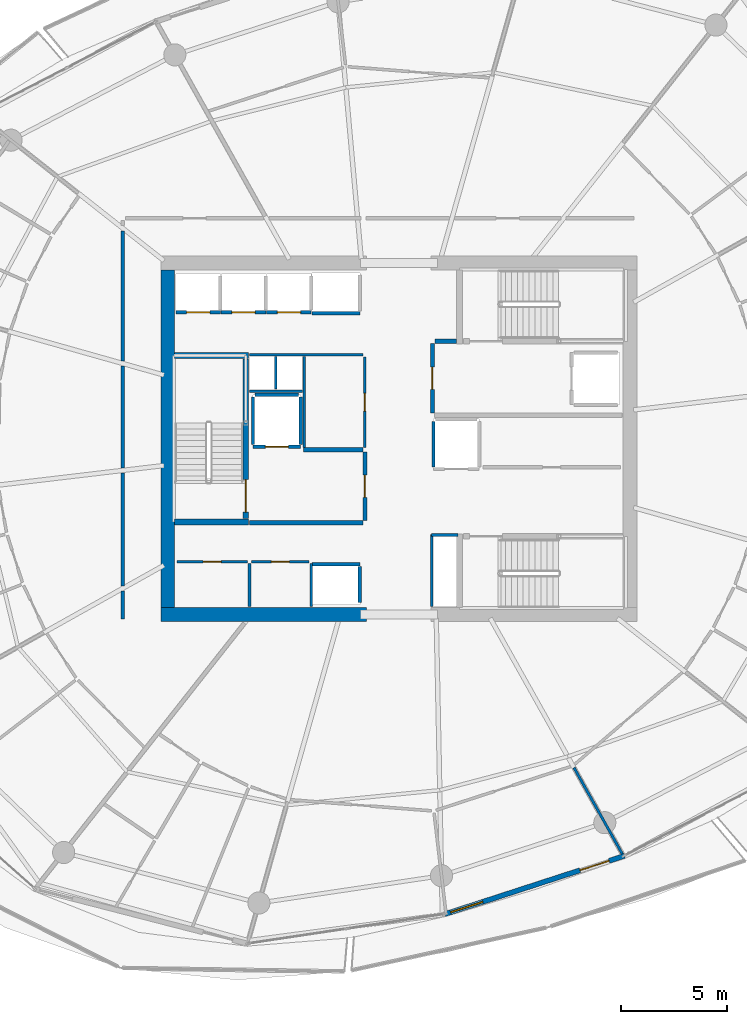
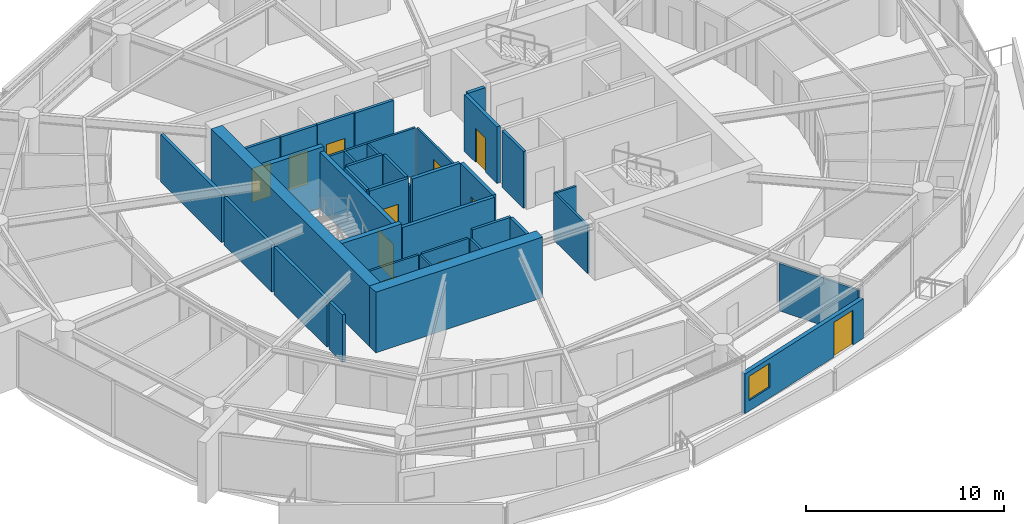
# One storey, part 12 of 20: 38 walls, 11 doors, 1 window, 12 openings.
"""IFC4 building model written with IfcOpenShell, lengths in metres."""

from ifc_helpers import new_model, si_unit, direction, frame, frame_2d, origin, place, context, subcontext, project, spatial, rectangle, extrude, material, layer, layer_set, type_object, element, fill, save


model = new_model("IFC4")

# Units and contexts
model_context = context("Model", 3, precision=1e-05, world=origin(), true_north=direction((0.0, 1.0)))
body_context = subcontext(model_context, "Body", "Model", "MODEL_VIEW")
ifc_project = project(units=[si_unit("LENGTHUNIT", "METRE"), si_unit("AREAUNIT", "SQUARE_METRE"), si_unit("VOLUMEUNIT", "CUBIC_METRE"), si_unit("PLANEANGLEUNIT", "RADIAN"), si_unit("MASSUNIT", "GRAM", prefix="KILO")], contexts=[model_context])

# Site, building, storey
site_placement = place(None, origin())
site = spatial("IfcSite", under=ifc_project, at=site_placement, CompositionType="ELEMENT")
building_placement = place(site_placement, origin())
building = spatial("IfcBuilding", under=site, at=building_placement, Name="Kazma Halo Residences", CompositionType="ELEMENT")
storey_placement = place(building_placement, frame((0.0, 0.0, 217.800048828125)))
storey = spatial("IfcBuildingStorey", under=building, at=storey_placement, Name="L55", CompositionType="ELEMENT", Elevation=217.800048828125)

# Walls
ifc_material_1 = material(Name="Concrete C60/75", Category="concrete")
ifc_layer_1 = layer(ifc_material_1, 0.64990234375)
ifc_layer_set_1 = layer_set([ifc_layer_1], Name="Concrete C60/75")
wall_type_1 = type_object("IfcWallType", Name="WL-CORE-650", PredefinedType="SHEAR", material=ifc_layer_set_1)
wall_1_placement = place(storey_placement, frame((37.14990234375, 33.675048828125, 0.0), z_axis=(0.0, 0.0, 1.0), x_axis=(1.0, 0.0, 0.0)))
element("IfcWall", 1, at=wall_1_placement, inside=storey, type_object=wall_type_1, Name="L55 central core shear wall SW", PredefinedType="SHEAR", context=body_context, shape_type="SweptSolid", body=[
    extrude(rectangle(XDim=9.75, YDim=0.64990234375, at=frame_2d((4.875, 0.0))), origin(), (0.0, 0.0, 1.0), 3.75),
])
wall_2_placement = place(storey_placement, frame((37.47509765625, 34.0, 0.0), z_axis=(0.0, 0.0, 1.0), x_axis=(0.0, 1.0, 0.0)))
element("IfcWall", 2, at=wall_2_placement, inside=storey, type_object=wall_type_1, Name="L55 central core shear wall W", PredefinedType="SHEAR", context=body_context, shape_type="SweptSolid", body=[
    extrude(rectangle(XDim=16.0, YDim=0.64990234375, at=frame_2d((8.0, 0.0))), origin(), (0.0, 0.0, 1.0), 3.75),
])
ifc_layer_2 = layer(ifc_material_1, 0.280029296875)
ifc_layer_set_2 = layer_set([ifc_layer_2], Name="Concrete C60/75")
wall_type_2 = type_object("IfcWallType", Name="WL-CORE-ST-280", PredefinedType="SHEAR", material=ifc_layer_set_2)
for number, where, z_axis, x_axis, name in (
    (3, (37.800048828125, 38.06005859375, 0.0), (0.0, 0.0, 1.0), (1.0, 0.0, 0.0), "L55 stairwell bearing wall ST01-S"),
    (4, (37.800048828125, 45.93994140625, 0.0), (0.0, 0.0, 1.0), (1.0, 0.0, 0.0), "L55 stairwell bearing wall ST01-N"),
):
    element("IfcWall", number, at=place(storey_placement, frame(where, z_axis=z_axis, x_axis=x_axis)), inside=storey, type_object=wall_type_2, Name=name, PredefinedType="SHEAR", context=body_context, shape_type="SweptSolid", body=[
        extrude(rectangle(XDim=3.5, YDim=0.280029296875, at=frame_2d((1.75, 0.0))), origin(), (0.0, 0.0, 1.0), 3.75),
    ])
ifc_material_2 = material(Name="Acoustic Twin-Stud Gypsum")
ifc_layer_3 = layer(ifc_material_2, 0.179931640625)
ifc_layer_set_3 = layer_set([ifc_layer_3], Name="Acoustic Twin-Stud Gypsum")
wall_type_3 = type_object("IfcWallType", Name="WL-DEM-180", PredefinedType="PARTITIONING", material=ifc_layer_set_3)
wall_3_placement = place(storey_placement, frame((35.35009765625, 51.8525390625, 0.0), z_axis=(0.0, 0.0, 1.0), x_axis=(0.0, -1.0, 0.0)))
element("IfcWall", 5, at=wall_3_placement, inside=storey, type_object=wall_type_3, Name="L55 Apartment 1 inner wall 5", PredefinedType="PARTITIONING", context=body_context, shape_type="SweptSolid", body=[
    extrude(rectangle(XDim=6.164794921875, YDim=0.179931640625, at=frame_2d((3.08251953125, 0.0))), origin(), (0.0, 0.0, 1.0), 2.93994140625),
])
wall_4_placement = place(storey_placement, frame((35.35009765625, 45.44775390625, 0.0), z_axis=(0.0, 0.0, 1.0), x_axis=(0.0, -1.0, 0.0)))
element("IfcWall", 6, at=wall_4_placement, inside=storey, type_object=wall_type_3, Name="L55 Apartment 1 inner wall 6", PredefinedType="PARTITIONING", context=body_context, shape_type="SweptSolid", body=[
    extrude(rectangle(XDim=4.824951171875, YDim=0.179931640625, at=frame_2d((2.41259765625, 0.0))), origin(), (0.0, 0.0, 1.0), 2.93994140625),
])
wall_5_placement = place(storey_placement, frame((35.35009765625, 40.3828125, 0.0), z_axis=(0.0, 0.0, 1.0), x_axis=(0.0, -1.0, 0.0)))
element("IfcWall", 7, at=wall_5_placement, inside=storey, type_object=wall_type_3, Name="L55 Apartment 1 inner wall 7", PredefinedType="PARTITIONING", context=body_context, shape_type="SweptSolid", body=[
    extrude(rectangle(XDim=5.34716796875, YDim=0.179931640625, at=frame_2d((2.673583984375, 0.0))), origin(), (0.0, 0.0, 1.0), 2.93994140625),
])
wall_6_placement = place(storey_placement, frame((35.35009765625, 34.795654296875, 0.0), z_axis=(0.0, 0.0, 1.0), x_axis=(0.0, -1.0, 0.0)))
element("IfcWall", 8, at=wall_6_placement, inside=storey, type_object=wall_type_3, Name="L55 Apartment 1 inner wall 8", PredefinedType="PARTITIONING", context=body_context, shape_type="SweptSolid", body=[
    extrude(rectangle(XDim=1.32568359375, YDim=0.179931640625, at=frame_2d((0.662841796875, 0.0))), origin(), (0.0, 0.0, 1.0), 2.93994140625),
])

# Wall, openings, door, window
ifc_material_3 = material(Name="Insulated Pale-Metal Composite Wall")
ifc_layer_4 = layer(ifc_material_3, 0.239990234375)
ifc_layer_set_4 = layer_set([ifc_layer_4], Name="Insulated Pale-Metal Composite Wall")
wall_type_4 = type_object("IfcWallType", Name="WL-EXT-HOST-240", PredefinedType="SOLIDWALL", material=ifc_layer_set_4)
wall_7_placement = place(storey_placement, frame((50.61572265625, 19.481201171875, 0.0), z_axis=(0.0, 0.0, 1.0), x_axis=(0.951058543936, 0.309010753869, 0.0)))
wall_7 = element("IfcWall", 9, at=wall_7_placement, inside=storey, type_object=wall_type_4, Name="L55 exterior terrace-access wall B12", PredefinedType="SOLIDWALL", context=body_context, shape_type="SweptSolid", body=[
    extrude(rectangle(XDim=8.942138671875, YDim=0.239990234375, at=frame_2d((4.47119140625, 0.0))), origin(), (0.0, 0.0, 1.0), 2.449951171875),
])
opening_1_placement = place(wall_7_placement, frame((6.721923828125, 0.0, 0.0)))
opening_1 = element("IfcOpeningElement", 10, at=opening_1_placement, cuts=wall_7, Name="Opening DTR-1600", PredefinedType="OPENING", context=body_context, shape_type="SweptSolid", body=[
    extrude(rectangle(XDim=1.449951171875, YDim=2.14990234375, at=frame_2d((0.72509765625, 1.074951171875))), frame((0.0, 0.1298828125, 0.0), z_axis=(0.0, -1.0, 0.0), x_axis=(1.0, 0.0, 0.0)), (0.0, 0.0, 1.0), 0.260009765625),
])
opening_2_placement = place(wall_7_placement, frame((0.280029296875, 0.0, 0.64990234375)))
opening_2 = element("IfcOpeningElement", 11, at=opening_2_placement, cuts=wall_7, Name="Opening W-1800", PredefinedType="OPENING", context=body_context, shape_type="SweptSolid", body=[
    extrude(rectangle(XDim=1.60009765625, YDim=1.5, at=frame_2d((0.800048828125, 0.75))), frame((0.0, 0.1298828125, 0.0), z_axis=(0.0, -1.0, 0.0), x_axis=(1.0, 0.0, 0.0)), (0.0, 0.0, 1.0), 0.260009765625),
])
ifc_material_4 = material(Name="Aluminium AW-6063 T6 Double-Glazed Terrace Door", Category="aluminium")
door_type_1 = type_object("IfcDoorType", Name="DR-EXT-TERR-1600", OperationType="NOTDEFINED", PredefinedType="DOOR", material=ifc_material_4)
door_1_placement = place(opening_1_placement, origin())
door_1 = element("IfcDoor", 12, at=door_1_placement, inside=storey, type_object=door_type_1, Name="L55 B12 balcony terrace door", OperationType="DOUBLE_DOOR_SLIDING", OverallHeight=2.14990234375, OverallWidth=1.449951171875, PredefinedType="DOOR", context=body_context, shape_type="SweptSolid", body=[
    extrude(rectangle(XDim=1.449951171875, YDim=2.14990234375, at=frame_2d((0.72509765625, 1.074951171875))), frame((0.0, 0.02490234375, 0.0), z_axis=(0.0, -1.0, 0.0), x_axis=(1.0, 0.0, 0.0)), (0.0, 0.0, 1.0), 0.050048828125),
])
fill(opening_1, door_1)
ifc_material_5 = material(Name="Clear Triple-Silver Low-E Glass in Aluminium AW-6063 T6 Frame", Category="aluminium")
window_type = type_object("IfcWindowType", Name="WIN-RES-1800", PartitioningType="DOUBLE_PANEL_VERTICAL", PredefinedType="WINDOW", material=ifc_material_5)
window_placement = place(opening_2_placement, origin())
window = element("IfcWindow", 13, at=window_placement, inside=storey, type_object=window_type, Name="L55 B12 apartment window", OverallHeight=1.5, OverallWidth=1.60009765625, PartitioningType="SINGLE_PANEL", PredefinedType="WINDOW", context=body_context, shape_type="SweptSolid", body=[
    extrude(rectangle(XDim=1.60009765625, YDim=1.5, at=frame_2d((0.800048828125, 0.75))), frame((0.0, 0.030029296875, 0.0), z_axis=(0.0, -1.0, 0.0), x_axis=(1.0, 0.0, 0.0)), (0.0, 0.0, 1.0), 0.06005859375),
])
fill(opening_2, window)

# Wall, opening, door
ifc_material_6 = material(Name="Fire-Rated Blockwork Masonry", Category="masonry")
ifc_layer_5 = layer(ifc_material_6, 0.199951171875)
ifc_layer_set_5 = layer_set([ifc_layer_5], Name="Fire-Rated Blockwork Masonry")
wall_type_5 = type_object("IfcWallType", Name="WL-FLB-200", PredefinedType="PARTITIONING", material=ifc_layer_set_5)
wall_8_placement = place(storey_placement, frame((39.97509765625, 47.9951171875, 0.0), z_axis=(0.0, 0.0, 1.0), x_axis=(-1.0, 0.0, 0.0)))
wall_8 = element("IfcWall", 14, at=wall_8_placement, inside=storey, type_object=wall_type_5, Name="L55 lift shaft PM-01 front wall", PredefinedType="PARTITIONING", context=body_context, shape_type="SweptSolid", body=[
    extrude(rectangle(XDim=2.110107421875, YDim=0.159912109375, at=frame_2d((1.05517578125, 0.0))), origin(), (0.0, 0.0, 1.0), 3.5),
])
opening_3_placement = place(wall_8_placement, frame((0.5048828125, 0.0, 0.0)))
opening_3 = element("IfcOpeningElement", 15, at=opening_3_placement, cuts=wall_8, Name="Opening LD-PM-01", PredefinedType="OPENING", context=body_context, shape_type="SweptSolid", body=[
    extrude(rectangle(XDim=1.10009765625, YDim=2.10009765625, at=frame_2d((0.550048828125, 1.050048828125))), frame((0.0, 0.08984375, 0.0), z_axis=(0.0, -1.0, 0.0), x_axis=(1.0, 0.0, 0.0)), (0.0, 0.0, 1.0), 0.179931640625),
])
ifc_material_7 = material(Name="Stainless Steel Fire-Rated", Category="steel")
door_type_2 = type_object("IfcDoorType", Name="DR-LIFT-SLD-1100", OperationType="DOUBLE_DOOR_SLIDING", PredefinedType="DOOR", material=ifc_material_7)
door_2_placement = place(opening_3_placement, origin())
door_2 = element("IfcDoor", 16, at=door_2_placement, inside=storey, type_object=door_type_2, Name="L55 lift PM-01 sliding landing door", OperationType="DOUBLE_DOOR_SLIDING", OverallHeight=2.10009765625, OverallWidth=1.10009765625, PredefinedType="DOOR", context=body_context, shape_type="SweptSolid", body=[
    extrude(rectangle(XDim=1.10009765625, YDim=2.10009765625, at=frame_2d((0.550048828125, 1.050048828125))), frame((0.0, 0.02490234375, 0.0), z_axis=(0.0, -1.0, 0.0), x_axis=(1.0, 0.0, 0.0)), (0.0, 0.0, 1.0), 0.050048828125),
])
fill(opening_3, door_2)

wall_9_placement = place(storey_placement, frame((42.125, 47.9951171875, 0.0), z_axis=(0.0, 0.0, 1.0), x_axis=(-1.0, 0.0, 0.0)))
wall_9 = element("IfcWall", 17, at=wall_9_placement, inside=storey, type_object=wall_type_5, Name="L55 lift shaft PM-02 front wall", PredefinedType="PARTITIONING", context=body_context, shape_type="SweptSolid", body=[
    extrude(rectangle(XDim=2.110107421875, YDim=0.159912109375, at=frame_2d((1.05517578125, 0.0))), origin(), (0.0, 0.0, 1.0), 3.5),
])
opening_4_placement = place(wall_9_placement, frame((0.5048828125, 0.0, 0.0)))
opening_4 = element("IfcOpeningElement", 18, at=opening_4_placement, cuts=wall_9, Name="Opening LD-PM-02", PredefinedType="OPENING", context=body_context, shape_type="SweptSolid", body=[
    extrude(rectangle(XDim=1.10009765625, YDim=2.10009765625, at=frame_2d((0.550048828125, 1.050048828125))), frame((0.0, 0.08984375, 0.0), z_axis=(0.0, -1.0, 0.0), x_axis=(1.0, 0.0, 0.0)), (0.0, 0.0, 1.0), 0.179931640625),
])
door_3_placement = place(opening_4_placement, origin())
door_3 = element("IfcDoor", 19, at=door_3_placement, inside=storey, type_object=door_type_2, Name="L55 lift PM-02 sliding landing door", OperationType="DOUBLE_DOOR_SLIDING", OverallHeight=2.10009765625, OverallWidth=1.10009765625, PredefinedType="DOOR", context=body_context, shape_type="SweptSolid", body=[
    extrude(rectangle(XDim=1.10009765625, YDim=2.10009765625, at=frame_2d((0.550048828125, 1.050048828125))), frame((0.0, 0.02490234375, 0.0), z_axis=(0.0, -1.0, 0.0), x_axis=(1.0, 0.0, 0.0)), (0.0, 0.0, 1.0), 0.050048828125),
])
fill(opening_4, door_3)

wall_10_placement = place(storey_placement, frame((44.27490234375, 47.9951171875, 0.0), z_axis=(0.0, 0.0, 1.0), x_axis=(-1.0, 0.0, 0.0)))
wall_10 = element("IfcWall", 20, at=wall_10_placement, inside=storey, type_object=wall_type_5, Name="L55 lift shaft PM-03 front wall", PredefinedType="PARTITIONING", context=body_context, shape_type="SweptSolid", body=[
    extrude(rectangle(XDim=2.10986328125, YDim=0.159912109375, at=frame_2d((1.054931640625, 0.0))), origin(), (0.0, 0.0, 1.0), 3.5),
])
opening_5_placement = place(wall_10_placement, frame((0.5048828125, 0.0, 0.0)))
opening_5 = element("IfcOpeningElement", 21, at=opening_5_placement, cuts=wall_10, Name="Opening LD-PM-03", PredefinedType="OPENING", context=body_context, shape_type="SweptSolid", body=[
    extrude(rectangle(XDim=1.10009765625, YDim=2.10009765625, at=frame_2d((0.550048828125, 1.050048828125))), frame((0.0, 0.08984375, 0.0), z_axis=(0.0, -1.0, 0.0), x_axis=(1.0, 0.0, 0.0)), (0.0, 0.0, 1.0), 0.179931640625),
])
door_4_placement = place(opening_5_placement, origin())
door_4 = element("IfcDoor", 22, at=door_4_placement, inside=storey, type_object=door_type_2, Name="L55 lift PM-03 sliding landing door", OperationType="DOUBLE_DOOR_SLIDING", OverallHeight=2.10009765625, OverallWidth=1.10009765625, PredefinedType="DOOR", context=body_context, shape_type="SweptSolid", body=[
    extrude(rectangle(XDim=1.10009765625, YDim=2.10009765625, at=frame_2d((0.550048828125, 1.050048828125))), frame((0.0, 0.02490234375, 0.0), z_axis=(0.0, -1.0, 0.0), x_axis=(1.0, 0.0, 0.0)), (0.0, 0.0, 1.0), 0.050048828125),
])
fill(opening_5, door_4)

# Walls
for number, where, z_axis, x_axis, name in (
    (23, (46.580078125, 47.945068359375, 0.0), (0.0, 0.0, 1.0), (-1.0, 0.0, 0.0), "L55 lift shaft PX-01 front wall"),
    (24, (44.320068359375, 36.054931640625, 0.0), (0.0, 0.0, 1.0), (1.0, 0.0, 0.0), "L55 lift shaft PX-02 front wall"),
):
    element("IfcWall", number, at=place(storey_placement, frame(where, z_axis=z_axis, x_axis=x_axis)), inside=storey, type_object=wall_type_5, Name=name, PredefinedType="PARTITIONING", context=body_context, shape_type="SweptSolid", body=[
        extrude(rectangle(XDim=2.260009765625, YDim=0.159912109375, at=frame_2d((1.1298828125, 0.0))), origin(), (0.0, 0.0, 1.0), 3.5),
    ])
wall_11_placement = place(storey_placement, frame((46.580078125, 34.2451171875, 0.0), z_axis=(0.0, 0.0, 1.0), x_axis=(0.0, 1.0, 0.0)))
element("IfcWall", 25, at=wall_11_placement, inside=storey, type_object=wall_type_5, Name="L55 lift shaft PX-02 side wall E", PredefinedType="PARTITIONING", context=body_context, shape_type="SweptSolid", body=[
    extrude(rectangle(XDim=1.7099609375, YDim=0.159912109375, at=frame_2d((0.85498046875, 0.0))), origin(), (0.0, 0.0, 1.0), 3.5),
])

# Wall, opening, door
wall_12_placement = place(storey_placement, frame((43.780029296875, 41.6201171875, 0.0), z_axis=(0.0, 0.0, 1.0), x_axis=(-1.0, 0.0, 0.0)))
wall_12 = element("IfcWall", 26, at=wall_12_placement, inside=storey, type_object=wall_type_5, Name="L55 lift shaft FL-01 front wall", PredefinedType="PARTITIONING", context=body_context, shape_type="SweptSolid", body=[
    extrude(rectangle(XDim=2.260009765625, YDim=0.159912109375, at=frame_2d((1.1298828125, 0.0))), origin(), (0.0, 0.0, 1.0), 3.5),
])
opening_6_placement = place(wall_12_placement, frame((0.580078125, 0.0, 0.0)))
opening_6 = element("IfcOpeningElement", 27, at=opening_6_placement, cuts=wall_12, Name="Opening LD-FL-01", PredefinedType="OPENING", context=body_context, shape_type="SweptSolid", body=[
    extrude(rectangle(XDim=1.10009765625, YDim=2.10009765625, at=frame_2d((0.550048828125, 1.050048828125))), frame((0.0, 0.08984375, 0.0), z_axis=(0.0, -1.0, 0.0), x_axis=(1.0, 0.0, 0.0)), (0.0, 0.0, 1.0), 0.179931640625),
])
door_5_placement = place(opening_6_placement, origin())
door_5 = element("IfcDoor", 28, at=door_5_placement, inside=storey, type_object=door_type_2, Name="L55 lift FL-01 sliding landing door", OperationType="DOUBLE_DOOR_SLIDING", OverallHeight=2.10009765625, OverallWidth=1.10009765625, PredefinedType="DOOR", context=body_context, shape_type="SweptSolid", body=[
    extrude(rectangle(XDim=1.10009765625, YDim=2.10009765625, at=frame_2d((0.550048828125, 1.050048828125))), frame((0.0, 0.02490234375, 0.0), z_axis=(0.0, -1.0, 0.0), x_axis=(1.0, 0.0, 0.0)), (0.0, 0.0, 1.0), 0.050048828125),
])
fill(opening_6, door_5)

# Walls
for number, where, z_axis, x_axis, name in (
    (29, (43.780029296875, 41.719970703125, 0.0), (0.0, 0.0, 1.0), (0.0, 1.0, 0.0), "L55 lift shaft FL-01 side wall E"),
    (30, (41.52001953125, 41.719970703125, 0.0), (0.0, 0.0, 1.0), (0.0, 1.0, 0.0), "L55 lift shaft FL-01 side wall W"),
):
    element("IfcWall", number, at=place(storey_placement, frame(where, z_axis=z_axis, x_axis=x_axis)), inside=storey, type_object=wall_type_5, Name=name, PredefinedType="PARTITIONING", context=body_context, shape_type="SweptSolid", body=[
        extrude(rectangle(XDim=2.260009765625, YDim=0.159912109375, at=frame_2d((1.1298828125, 0.0))), origin(), (0.0, 0.0, 1.0), 3.5),
    ])
wall_13_placement = place(storey_placement, frame((41.6201171875, 44.080078125, 0.0), z_axis=(0.0, 0.0, 1.0), x_axis=(1.0, 0.0, 0.0)))
element("IfcWall", 31, at=wall_13_placement, inside=storey, type_object=wall_type_5, Name="L55 lift shaft FL-01 side wall N", PredefinedType="PARTITIONING", context=body_context, shape_type="SweptSolid", body=[
    extrude(rectangle(XDim=2.059814453125, YDim=0.159912109375, at=frame_2d((1.02978515625, 0.0))), origin(), (0.0, 0.0, 1.0), 3.5),
])
wall_14_placement = place(storey_placement, frame((50.070068359375, 40.669921875, 0.0), z_axis=(0.0, 0.0, 1.0), x_axis=(0.0, 1.0, 0.0)))
element("IfcWall", 32, at=wall_14_placement, inside=storey, type_object=wall_type_5, Name="L55 lift shaft SV-01 side wall W", PredefinedType="PARTITIONING", context=body_context, shape_type="SweptSolid", body=[
    extrude(rectangle(XDim=2.16015625, YDim=0.159912109375, at=frame_2d((1.080078125, 0.0))), origin(), (0.0, 0.0, 1.0), 3.5),
])
wall_15_placement = place(storey_placement, frame((41.35009765625, 38.02001953125, 0.0), z_axis=(0.0, 0.0, 1.0), x_axis=(1.0, 0.0, 0.0)))
element("IfcWall", 33, at=wall_15_placement, inside=storey, type_object=wall_type_5, Name="L55 west firefighting lobby south smoke wall", PredefinedType="PARTITIONING", context=body_context, shape_type="SweptSolid", body=[
    extrude(rectangle(XDim=5.369873046875, YDim=0.199951171875, at=frame_2d((2.68505859375, 0.0))), origin(), (0.0, 0.0, 1.0), 3.5),
])
wall_16_placement = place(storey_placement, frame((43.919921875, 41.47998046875, 0.0), z_axis=(0.0, 0.0, 1.0), x_axis=(1.0, 0.0, 0.0)))
element("IfcWall", 34, at=wall_16_placement, inside=storey, type_object=wall_type_5, Name="L55 west firefighting lobby north smoke wall", PredefinedType="PARTITIONING", context=body_context, shape_type="SweptSolid", body=[
    extrude(rectangle(XDim=2.800048828125, YDim=0.199951171875, at=frame_2d((1.39990234375, 0.0))), origin(), (0.0, 0.0, 1.0), 3.5),
])

# Wall, opening, door
wall_17_placement = place(storey_placement, frame((46.820068359375, 38.1201171875, 0.0), z_axis=(0.0, 0.0, 1.0), x_axis=(0.0, 1.0, 0.0)))
wall_17 = element("IfcWall", 35, at=wall_17_placement, inside=storey, type_object=wall_type_5, Name="L55 west firefighting lobby smoke wall", PredefinedType="PARTITIONING", context=body_context, shape_type="SweptSolid", body=[
    extrude(rectangle(XDim=3.259765625, YDim=0.199951171875, at=frame_2d((1.6298828125, 0.0))), origin(), (0.0, 0.0, 1.0), 3.5),
])
opening_7_placement = place(wall_17_placement, frame((1.10498046875, 0.0, 0.0)))
opening_7 = element("IfcOpeningElement", 36, at=opening_7_placement, cuts=wall_17, Name="Opening D-FLW", PredefinedType="OPENING", context=body_context, shape_type="SweptSolid", body=[
    extrude(rectangle(XDim=1.050048828125, YDim=2.10009765625, at=frame_2d((0.52490234375, 1.050048828125))), frame((0.0, 0.10986328125, 0.0), z_axis=(0.0, -1.0, 0.0), x_axis=(1.0, 0.0, 0.0)), (0.0, 0.0, 1.0), 0.219970703125),
])
ifc_material_8 = material(Name="Fire-Rated Steel Leaf", Category="steel")
door_type_3 = type_object("IfcDoorType", Name="DR-FD90-1050", OperationType="NOTDEFINED", PredefinedType="DOOR", material=ifc_material_8)
door_6_placement = place(opening_7_placement, origin())
door_6 = element("IfcDoor", 37, at=door_6_placement, inside=storey, type_object=door_type_3, Name="L55 west firefighting lobby smoke door", OperationType="SINGLE_SWING_RIGHT", OverallHeight=2.10009765625, OverallWidth=1.050048828125, PredefinedType="DOOR", context=body_context, shape_type="SweptSolid", body=[
    extrude(rectangle(XDim=1.050048828125, YDim=2.10009765625, at=frame_2d((0.52490234375, 1.050048828125))), frame((0.0, 0.02490234375, 0.0), z_axis=(0.0, -1.0, 0.0), x_axis=(1.0, 0.0, 0.0)), (0.0, 0.0, 1.0), 0.050048828125),
])
fill(opening_7, door_6)

# Wall
wall_18_placement = place(storey_placement, frame((50.139892578125, 46.6201171875, 0.0), z_axis=(0.0, 0.0, 1.0), x_axis=(1.0, 0.0, 0.0)))
element("IfcWall", 38, at=wall_18_placement, inside=storey, type_object=wall_type_5, Name="L55 east firefighting lobby north closure wall", PredefinedType="PARTITIONING", context=body_context, shape_type="SweptSolid", body=[
    extrude(rectangle(XDim=1.02001953125, YDim=0.199951171875, at=frame_2d((0.510009765625, 0.0))), origin(), (0.0, 0.0, 1.0), 3.5),
])

# Wall, opening, door
wall_19_placement = place(storey_placement, frame((50.02001953125, 43.219970703125, 0.0), z_axis=(0.0, 0.0, 1.0), x_axis=(0.0, 1.0, 0.0)))
wall_19 = element("IfcWall", 39, at=wall_19_placement, inside=storey, type_object=wall_type_5, Name="L55 east firefighting lobby smoke wall", PredefinedType="PARTITIONING", context=body_context, shape_type="SweptSolid", body=[
    extrude(rectangle(XDim=3.300048828125, YDim=0.199951171875, at=frame_2d((1.64990234375, 0.0))), origin(), (0.0, 0.0, 1.0), 3.5),
])
opening_8_placement = place(wall_19_placement, frame((1.125, 0.0, 0.0)))
opening_8 = element("IfcOpeningElement", 40, at=opening_8_placement, cuts=wall_19, Name="Opening D-FLE", PredefinedType="OPENING", context=body_context, shape_type="SweptSolid", body=[
    extrude(rectangle(XDim=1.050048828125, YDim=2.10009765625, at=frame_2d((0.52490234375, 1.050048828125))), frame((0.0, 0.10986328125, 0.0), z_axis=(0.0, -1.0, 0.0), x_axis=(1.0, 0.0, 0.0)), (0.0, 0.0, 1.0), 0.219970703125),
])
door_7_placement = place(opening_8_placement, origin())
door_7 = element("IfcDoor", 41, at=door_7_placement, inside=storey, type_object=door_type_3, Name="L55 east firefighting lobby smoke door", OperationType="SINGLE_SWING_LEFT", OverallHeight=2.10009765625, OverallWidth=1.050048828125, PredefinedType="DOOR", context=body_context, shape_type="SweptSolid", body=[
    extrude(rectangle(XDim=1.050048828125, YDim=2.10009765625, at=frame_2d((0.52490234375, 1.050048828125))), frame((0.0, 0.02490234375, 0.0), z_axis=(0.0, -1.0, 0.0), x_axis=(1.0, 0.0, 0.0)), (0.0, 0.0, 1.0), 0.050048828125),
])
fill(opening_8, door_7)

# Walls
ifc_material_9 = material(Name="Gypsum Plasterboard Partition")
ifc_layer_6 = layer(ifc_material_9, 0.125)
ifc_layer_set_6 = layer_set([ifc_layer_6], Name="Gypsum Plasterboard Partition")
wall_type_6 = type_object("IfcWallType", Name="WL-PART-125", PredefinedType="PARTITIONING", material=ifc_layer_set_6)
for number, where, z_axis, x_axis, name in (
    (42, (44.280029296875, 34.050048828125, 0.0), (0.0, 0.0, 1.0), (0.0, 1.0, 0.0), "L55 reclaimed south east wall"),
    (43, (41.35009765625, 34.050048828125, 0.0), (0.0, 0.0, 1.0), (0.0, 1.0, 0.0), "L55 reclaimed south divider wall"),
):
    element("IfcWall", number, at=place(storey_placement, frame(where, z_axis=z_axis, x_axis=x_axis)), inside=storey, type_object=wall_type_6, Name=name, PredefinedType="PARTITIONING", context=body_context, shape_type="SweptSolid", body=[
        extrude(rectangle(XDim=2.030029296875, YDim=0.125, at=frame_2d((1.01513671875, 0.0))), origin(), (0.0, 0.0, 1.0), 2.93994140625),
    ])

# Wall, opening, door
wall_20_placement = place(storey_placement, frame((37.919921875, 36.179931640625, 0.0), z_axis=(0.0, 0.0, 1.0), x_axis=(1.0, 0.0, 0.0)))
wall_20 = element("IfcWall", 44, at=wall_20_placement, inside=storey, type_object=wall_type_6, Name="L55 reclaimed south W front wall", PredefinedType="PARTITIONING", context=body_context, shape_type="SweptSolid", body=[
    extrude(rectangle(XDim=3.330078125, YDim=0.125, at=frame_2d((1.6650390625, 0.0))), origin(), (0.0, 0.0, 1.0), 2.93994140625),
])
opening_9_placement = place(wall_20_placement, frame((1.239990234375, 0.0, 0.0)))
opening_9 = element("IfcOpeningElement", 45, at=opening_9_placement, cuts=wall_20, Name="Opening DS-850", PredefinedType="OPENING", context=body_context, shape_type="SweptSolid", body=[
    extrude(rectangle(XDim=0.85009765625, YDim=2.06005859375, at=frame_2d((0.425048828125, 1.030029296875))), frame((0.0, 0.072509765625, 0.0), z_axis=(0.0, -1.0, 0.0), x_axis=(1.0, 0.0, 0.0)), (0.0, 0.0, 1.0), 0.14501953125),
])
ifc_material_10 = material(Name="Painted Steel Access Leaf", Category="steel")
door_type_4 = type_object("IfcDoorType", Name="DR-SVC-850", OperationType="NOTDEFINED", PredefinedType="DOOR", material=ifc_material_10)
door_8_placement = place(opening_9_placement, origin())
door_8 = element("IfcDoor", 46, at=door_8_placement, inside=storey, type_object=door_type_4, Name="L55 reclaimed south W door", OperationType="SINGLE_SWING_RIGHT", OverallHeight=2.06005859375, OverallWidth=0.85009765625, PredefinedType="DOOR", context=body_context, shape_type="SweptSolid", body=[
    extrude(rectangle(XDim=0.85009765625, YDim=2.06005859375, at=frame_2d((0.425048828125, 1.030029296875))), frame((0.0, 0.02490234375, 0.0), z_axis=(0.0, -1.0, 0.0), x_axis=(1.0, 0.0, 0.0)), (0.0, 0.0, 1.0), 0.050048828125),
])
fill(opening_9, door_8)

wall_21_placement = place(storey_placement, frame((41.449951171875, 36.179931640625, 0.0), z_axis=(0.0, 0.0, 1.0), x_axis=(1.0, 0.0, 0.0)))
wall_21 = element("IfcWall", 47, at=wall_21_placement, inside=storey, type_object=wall_type_6, Name="L55 reclaimed south E front wall", PredefinedType="PARTITIONING", context=body_context, shape_type="SweptSolid", body=[
    extrude(rectangle(XDim=2.72998046875, YDim=0.125, at=frame_2d((1.364990234375, 0.0))), origin(), (0.0, 0.0, 1.0), 2.93994140625),
])
opening_10_placement = place(wall_21_placement, frame((0.93994140625, 0.0, 0.0)))
opening_10 = element("IfcOpeningElement", 48, at=opening_10_placement, cuts=wall_21, Name="Opening DS-850", PredefinedType="OPENING", context=body_context, shape_type="SweptSolid", body=[
    extrude(rectangle(XDim=0.85009765625, YDim=2.06005859375, at=frame_2d((0.425048828125, 1.030029296875))), frame((0.0, 0.072509765625, 0.0), z_axis=(0.0, -1.0, 0.0), x_axis=(1.0, 0.0, 0.0)), (0.0, 0.0, 1.0), 0.14501953125),
])
door_9_placement = place(opening_10_placement, origin())
door_9 = element("IfcDoor", 49, at=door_9_placement, inside=storey, type_object=door_type_4, Name="L55 reclaimed south E door", OperationType="SINGLE_SWING_LEFT", OverallHeight=2.06005859375, OverallWidth=0.85009765625, PredefinedType="DOOR", context=body_context, shape_type="SweptSolid", body=[
    extrude(rectangle(XDim=0.85009765625, YDim=2.06005859375, at=frame_2d((0.425048828125, 1.030029296875))), frame((0.0, 0.02490234375, 0.0), z_axis=(0.0, -1.0, 0.0), x_axis=(1.0, 0.0, 0.0)), (0.0, 0.0, 1.0), 0.050048828125),
])
fill(opening_10, door_9)

# Walls
wall_22_placement = place(storey_placement, frame((41.360107421875, 45.97998046875, 0.0), z_axis=(0.0, 0.0, 1.0), x_axis=(1.0, 0.0, 0.0)))
element("IfcWall", 50, at=wall_22_placement, inside=storey, type_object=wall_type_6, Name="L55 core north riser wall", PredefinedType="PARTITIONING", context=body_context, shape_type="SweptSolid", body=[
    extrude(rectangle(XDim=5.35986328125, YDim=0.125, at=frame_2d((2.679931640625, 0.0))), origin(), (0.0, 0.0, 1.0), 2.93994140625),
])
wall_23_placement = place(storey_placement, frame((41.360107421875, 44.260009765625, 0.0), z_axis=(0.0, 0.0, 1.0), x_axis=(1.0, 0.0, 0.0)))
element("IfcWall", 51, at=wall_23_placement, inside=storey, type_object=wall_type_6, Name="L55 core riser south wall", PredefinedType="PARTITIONING", context=body_context, shape_type="SweptSolid", body=[
    extrude(rectangle(XDim=2.5, YDim=0.125, at=frame_2d((1.25, 0.0))), origin(), (0.0, 0.0, 1.0), 2.93994140625),
])
wall_24_placement = place(storey_placement, frame((42.60009765625, 44.35009765625, 0.0), z_axis=(0.0, 0.0, 1.0), x_axis=(0.0, 1.0, 0.0)))
element("IfcWall", 52, at=wall_24_placement, inside=storey, type_object=wall_type_6, Name="L55 core riser divider wall", PredefinedType="PARTITIONING", context=body_context, shape_type="SweptSolid", body=[
    extrude(rectangle(XDim=1.5498046875, YDim=0.125, at=frame_2d((0.77490234375, 0.0))), origin(), (0.0, 0.0, 1.0), 2.93994140625),
])
wall_25_placement = place(storey_placement, frame((49.97998046875, 34.06005859375, 0.0), z_axis=(0.0, 0.0, 1.0), x_axis=(0.0, 1.0, 0.0)))
element("IfcWall", 53, at=wall_25_placement, inside=storey, type_object=wall_type_6, Name="L55 standpipe riser wall", PredefinedType="PARTITIONING", context=body_context, shape_type="SweptSolid", body=[
    extrude(rectangle(XDim=3.39990234375, YDim=0.125, at=frame_2d((1.699951171875, 0.0))), origin(), (0.0, 0.0, 1.0), 2.93994140625),
])
wall_26_placement = place(storey_placement, frame((49.97998046875, 37.43994140625, 0.0), z_axis=(0.0, 0.0, 1.0), x_axis=(1.0, 0.0, 0.0)))
element("IfcWall", 54, at=wall_26_placement, inside=storey, type_object=wall_type_6, Name="L55 standpipe riser north wall", PredefinedType="PARTITIONING", context=body_context, shape_type="SweptSolid", body=[
    extrude(rectangle(XDim=1.260009765625, YDim=0.125, at=frame_2d((0.6298828125, 0.0))), origin(), (0.0, 0.0, 1.0), 2.93994140625),
])
wall_27_placement = place(storey_placement, frame((43.949951171875, 41.580078125, 0.0), z_axis=(0.0, 0.0, 1.0), x_axis=(0.0, 1.0, 0.0)))
element("IfcWall", 55, at=wall_27_placement, inside=storey, type_object=wall_type_6, Name="L55 core service west wall", PredefinedType="PARTITIONING", context=body_context, shape_type="SweptSolid", body=[
    extrude(rectangle(XDim=4.31982421875, YDim=0.125, at=frame_2d((2.159912109375, 0.0))), origin(), (0.0, 0.0, 1.0), 2.93994140625),
])

# Wall, opening, door
wall_28_placement = place(storey_placement, frame((46.820068359375, 41.580078125, 0.0), z_axis=(0.0, 0.0, 1.0), x_axis=(0.0, 1.0, 0.0)))
wall_28 = element("IfcWall", 56, at=wall_28_placement, inside=storey, type_object=wall_type_6, Name="L55 core service room east wall", PredefinedType="PARTITIONING", context=body_context, shape_type="SweptSolid", body=[
    extrude(rectangle(XDim=4.2998046875, YDim=0.125, at=frame_2d((2.14990234375, 0.0))), origin(), (0.0, 0.0, 1.0), 2.93994140625),
])
opening_11_placement = place(wall_28_placement, frame((1.72509765625, 0.0, 0.0)))
opening_11 = element("IfcOpeningElement", 57, at=opening_11_placement, cuts=wall_28, Name="Opening DS-850", PredefinedType="OPENING", context=body_context, shape_type="SweptSolid", body=[
    extrude(rectangle(XDim=0.85009765625, YDim=2.06005859375, at=frame_2d((0.425048828125, 1.030029296875))), frame((0.0, 0.072509765625, 0.0), z_axis=(0.0, -1.0, 0.0), x_axis=(1.0, 0.0, 0.0)), (0.0, 0.0, 1.0), 0.14501953125),
])
door_10_placement = place(opening_11_placement, origin())
door_10 = element("IfcDoor", 58, at=door_10_placement, inside=storey, type_object=door_type_4, Name="L55 core service room door", OperationType="SINGLE_SWING_RIGHT", OverallHeight=2.06005859375, OverallWidth=0.85009765625, PredefinedType="DOOR", context=body_context, shape_type="SweptSolid", body=[
    extrude(rectangle(XDim=0.85009765625, YDim=2.06005859375, at=frame_2d((0.425048828125, 1.030029296875))), frame((0.0, 0.02490234375, 0.0), z_axis=(0.0, -1.0, 0.0), x_axis=(1.0, 0.0, 0.0)), (0.0, 0.0, 1.0), 0.050048828125),
])
fill(opening_11, door_10)

# Wall
wall_29_placement = place(storey_placement, frame((56.725341796875, 26.419921875, 0.0), z_axis=(0.0, 0.0, 1.0), x_axis=(0.488595423778, -0.872510465189, 0.0)))
element("IfcWall", 59, at=wall_29_placement, inside=storey, type_object=wall_type_6, Name="L55 Apartment 2 radial partition 12", PredefinedType="PARTITIONING", context=body_context, shape_type="SweptSolid", body=[
    extrude(rectangle(XDim=4.678466796875, YDim=0.125, at=frame_2d((2.33935546875, 0.0))), origin(), (0.0, 0.0, 1.0), 2.93994140625),
])

# Wall, opening, door
ifc_material_11 = material(Name="Concrete C50/60", Category="concrete")
ifc_layer_7 = layer(ifc_material_11, 0.25)
ifc_layer_set_7 = layer_set([ifc_layer_7], Name="Concrete C50/60")
wall_type_7 = type_object("IfcWallType", Name="WL-SHF-250", PredefinedType="SOLIDWALL", material=ifc_layer_set_7)
wall_30_placement = place(storey_placement, frame((41.179931640625, 38.219970703125, 0.0), z_axis=(0.0, 0.0, 1.0), x_axis=(0.0, 1.0, 0.0)))
wall_30 = element("IfcWall", 60, at=wall_30_placement, inside=storey, type_object=wall_type_7, Name="L55 exit stair ST-01 enclosure wall", PredefinedType="SOLIDWALL", context=body_context, shape_type="SweptSolid", body=[
    extrude(rectangle(XDim=7.56005859375, YDim=0.25, at=frame_2d((3.780029296875, 0.0))), origin(), (0.0, 0.0, 1.0), 3.5),
])
opening_12_placement = place(wall_30_placement, frame((0.300048828125, 0.0, 0.0)))
opening_12 = element("IfcOpeningElement", 61, at=opening_12_placement, cuts=wall_30, Name="Opening D-ST1", PredefinedType="OPENING", context=body_context, shape_type="SweptSolid", body=[
    extrude(rectangle(XDim=1.550048828125, YDim=2.14990234375, at=frame_2d((0.77490234375, 1.074951171875))), frame((0.0, 0.135009765625, 0.0), z_axis=(0.0, -1.0, 0.0), x_axis=(1.0, 0.0, 0.0)), (0.0, 0.0, 1.0), 0.27001953125),
])
ifc_material_12 = material(Name="Fire-Rated Double Steel Leaf", Category="steel")
door_type_5 = type_object("IfcDoorType", Name="DR-FD90-1550", OperationType="NOTDEFINED", PredefinedType="DOOR", material=ifc_material_12)
door_11_placement = place(opening_12_placement, origin())
door_11 = element("IfcDoor", 62, at=door_11_placement, inside=storey, type_object=door_type_5, Name="L55 exit stair ST-01 fire door", OperationType="DOUBLE_DOOR_SINGLE_SWING", OverallHeight=2.14990234375, OverallWidth=1.550048828125, PredefinedType="DOOR", context=body_context, shape_type="SweptSolid", body=[
    extrude(rectangle(XDim=1.550048828125, YDim=2.14990234375, at=frame_2d((0.77490234375, 1.074951171875))), frame((0.0, 0.02490234375, 0.0), z_axis=(0.0, -1.0, 0.0), x_axis=(1.0, 0.0, 0.0)), (0.0, 0.0, 1.0), 0.050048828125),
])
fill(opening_12, door_11)

save(model, "model.ifc")
